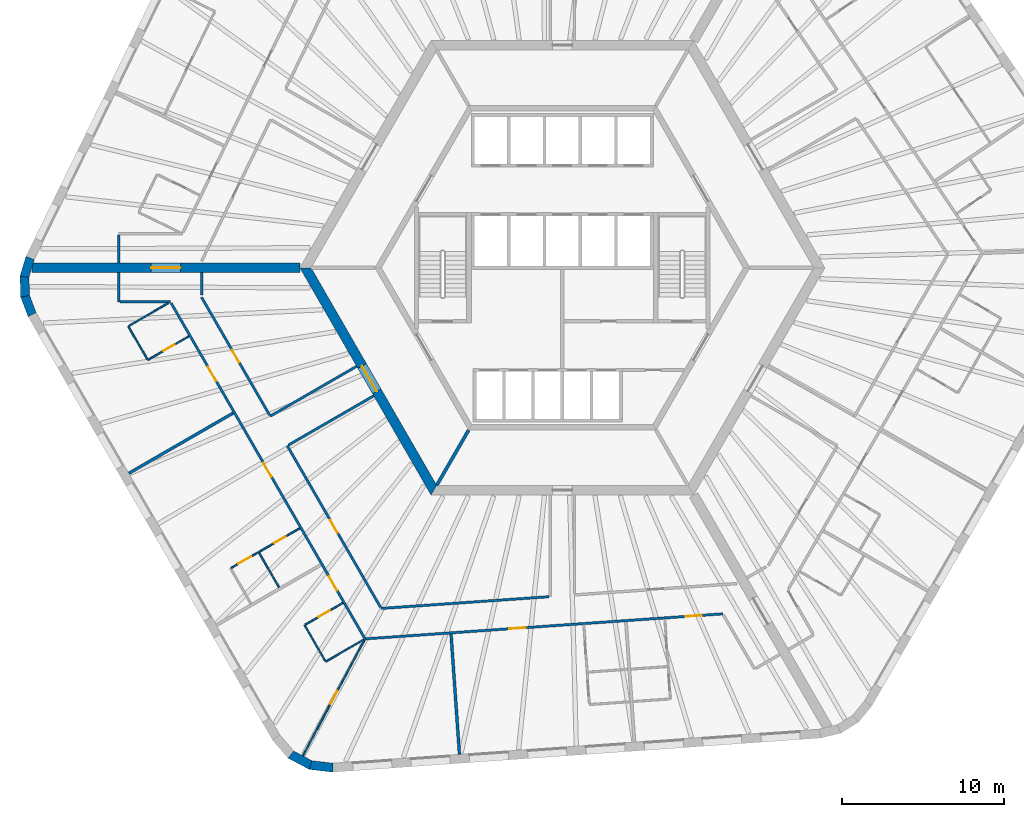
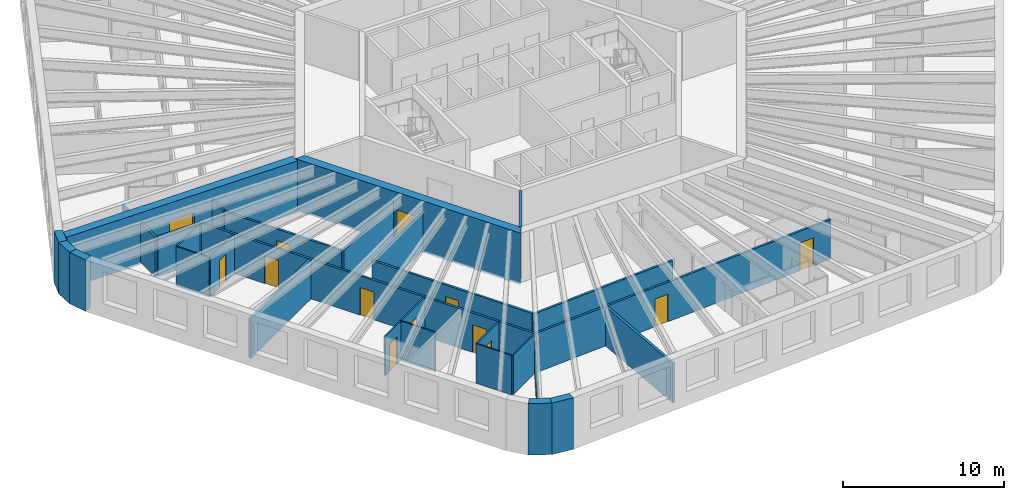
# One storey, part 3 of 11: 31 walls, 14 doors, 14 openings.
"""IFC4 building model written with IfcOpenShell, lengths in metres."""

from ifc_helpers import new_model, si_unit, direction, frame, frame_2d, origin, place, context, subcontext, project, spatial, polyline, rectangle, outline, extrude, material, layer, layer_set, type_object, element, fill, save


model = new_model("IFC4")

# Units and contexts
model_context = context("Model", 3, precision=1e-05, world=origin(), true_north=direction((0.0, 1.0)))
body_context = subcontext(model_context, "Body", "Model", "MODEL_VIEW")
ifc_project = project(units=[si_unit("LENGTHUNIT", "METRE"), si_unit("AREAUNIT", "SQUARE_METRE"), si_unit("VOLUMEUNIT", "CUBIC_METRE"), si_unit("PLANEANGLEUNIT", "RADIAN"), si_unit("MASSUNIT", "GRAM", prefix="KILO")], contexts=[model_context])

# Site, building, storey
site_placement = place(None, origin())
site = spatial("IfcSite", under=ifc_project, at=site_placement, CompositionType="ELEMENT")
building_placement = place(site_placement, origin())
building = spatial("IfcBuilding", under=site, at=building_placement, Name="Tarnside Tower", CompositionType="ELEMENT")
storey_placement = place(building_placement, frame((0.0, 0.0, 41.39990234375)))
storey = spatial("IfcBuildingStorey", under=building, at=storey_placement, Name="L07", CompositionType="ELEMENT", Elevation=41.39990234375)

# Wall, opening, door
ifc_material_1 = material(Name="Gypsum board partition on steel studs", Category="steel")
ifc_layer_1 = layer(ifc_material_1, 0.10009765625)
ifc_layer_set_1 = layer_set([ifc_layer_1], Name="Bathroom wall 100")
wall_type_1 = type_object("IfcWallType", Name="Bathroom wall 100", PredefinedType="PARTITIONING", material=ifc_layer_set_1)
wall_1_placement = place(storey_placement, frame((-22.998291015625, -4.216064453125, 0.0), z_axis=(0.0, 0.0, 1.0), x_axis=(-0.866025730634, -0.499999433879, 0.0)))
wall_1 = element("IfcWall", 1, at=wall_1_placement, inside=storey, type_object=wall_type_1, Name="Bathroom wall 01100", PredefinedType="PARTITIONING", context=body_context, shape_type="SweptSolid", body=[
    extrude(rectangle(XDim=2.9248046875, YDim=0.10009765625, at=frame_2d((1.46240234375, 0.0))), origin(), (0.0, 0.0, 1.0), 2.98779296875),
])
opening_1_placement = place(wall_1_placement, frame((1.02490234375, 0.0, 0.0)))
opening_1 = element("IfcOpeningElement", 2, at=opening_1_placement, cuts=wall_1, Name="Opening D-B1", PredefinedType="OPENING", context=body_context, shape_type="SweptSolid", body=[
    extrude(rectangle(XDim=0.800048828125, YDim=2.10009765625, at=frame_2d((0.39990234375, 1.050048828125))), frame((0.0, 0.06005859375, 0.0), z_axis=(0.0, -1.0, 0.0), x_axis=(1.0, 0.0, 0.0)), (0.0, 0.0, 1.0), 0.1201171875),
])
ifc_material_2 = material(Name="Timber door leaf", Category="wood")
door_type_1 = type_object("IfcDoorType", Name="Bathroom door 800", OperationType="NOTDEFINED", PredefinedType="DOOR", material=ifc_material_2)
door_1_placement = place(opening_1_placement, origin())
door_1 = element("IfcDoor", 3, at=door_1_placement, inside=storey, type_object=door_type_1, Name="Bathroom door 01014", OperationType="SINGLE_SWING_RIGHT", OverallHeight=2.10009765625, OverallWidth=0.800048828125, PredefinedType="DOOR", context=body_context, shape_type="SweptSolid", body=[
    extrude(rectangle(XDim=0.800048828125, YDim=2.10009765625, at=frame_2d((0.39990234375, 1.050048828125))), frame((0.0, 0.02490234375, 0.0), z_axis=(0.0, -1.0, 0.0), x_axis=(1.0, 0.0, 0.0)), (0.0, 0.0, 1.0), 0.050048828125),
])
fill(opening_1, door_1)

# Walls
wall_2_placement = place(storey_placement, frame((-25.556396484375, -5.63525390625, 0.0), z_axis=(0.0, 0.0, 1.0), x_axis=(-0.499938297808, 0.866061024631, 0.0)))
element("IfcWall", 4, at=wall_2_placement, inside=storey, type_object=wall_type_1, Name="Bathroom wall 01101", PredefinedType="PARTITIONING", context=body_context, shape_type="SweptSolid", body=[
    extrude(rectangle(XDim=2.349853515625, YDim=0.10009765625, at=frame_2d((1.1748046875, 0.0))), origin(), (0.0, 0.0, 1.0), 2.98779296875),
])
wall_3_placement = place(storey_placement, frame((-26.68798828125, -3.574951171875, 0.0), z_axis=(0.0, 0.0, 1.0), x_axis=(0.866034573852, 0.49998411664, 0.0)))
element("IfcWall", 5, at=wall_3_placement, inside=storey, type_object=wall_type_1, Name="Bathroom wall 01102", PredefinedType="PARTITIONING", context=body_context, shape_type="SweptSolid", body=[
    extrude(rectangle(XDim=2.7998046875, YDim=0.10009765625, at=frame_2d((1.39990234375, 0.0))), origin(), (0.0, 0.0, 1.0), 2.98779296875),
])

# Wall, opening, door
wall_4_placement = place(storey_placement, frame((-18.701904296875, -17.507568359375, 0.0), z_axis=(0.0, 0.0, 1.0), x_axis=(0.86601045545, 0.500025890382, 0.0)))
wall_4 = element("IfcWall", 6, at=wall_4_placement, inside=storey, type_object=wall_type_1, Name="Bathroom wall 01104", PredefinedType="PARTITIONING", context=body_context, shape_type="SweptSolid", body=[
    extrude(rectangle(XDim=2.925048828125, YDim=0.10009765625, at=frame_2d((1.46240234375, 0.0))), origin(), (0.0, 0.0, 1.0), 2.98779296875),
])
opening_2_placement = place(wall_4_placement, frame((1.10009765625, 0.0, 0.0)))
opening_2 = element("IfcOpeningElement", 7, at=opening_2_placement, cuts=wall_4, Name="Opening D-B1", PredefinedType="OPENING", context=body_context, shape_type="SweptSolid", body=[
    extrude(rectangle(XDim=0.800048828125, YDim=2.10009765625, at=frame_2d((0.39990234375, 1.050048828125))), frame((0.0, 0.06005859375, 0.0), z_axis=(0.0, -1.0, 0.0), x_axis=(1.0, 0.0, 0.0)), (0.0, 0.0, 1.0), 0.1201171875),
])
door_2_placement = place(opening_2_placement, origin())
door_2 = element("IfcDoor", 8, at=door_2_placement, inside=storey, type_object=door_type_1, Name="Bathroom door 01016", OperationType="SINGLE_SWING_LEFT", OverallHeight=2.10009765625, OverallWidth=0.800048828125, PredefinedType="DOOR", context=body_context, shape_type="SweptSolid", body=[
    extrude(rectangle(XDim=0.800048828125, YDim=2.10009765625, at=frame_2d((0.39990234375, 1.050048828125))), frame((0.0, 0.02490234375, 0.0), z_axis=(0.0, -1.0, 0.0), x_axis=(1.0, 0.0, 0.0)), (0.0, 0.0, 1.0), 0.050048828125),
])
fill(opening_2, door_2)

# Walls
wall_5_placement = place(storey_placement, frame((-18.6767578125, -17.55078125, 0.0), z_axis=(0.0, 0.0, 1.0), x_axis=(0.500003092839, -0.866023618125, 0.0)))
element("IfcWall", 9, at=wall_5_placement, inside=storey, type_object=wall_type_1, Name="Bathroom wall 01108", PredefinedType="PARTITIONING", context=body_context, shape_type="SweptSolid", body=[
    extrude(rectangle(XDim=2.4599609375, YDim=0.10009765625, at=frame_2d((1.22998046875, 0.0))), origin(), (0.0, 0.0, 1.0), 2.98779296875),
])
wall_6_placement = place(storey_placement, frame((-12.21630859375, -22.890869140625, 0.0), z_axis=(0.0, 0.0, 1.0), x_axis=(-0.866012511928, -0.500022328685, 0.0)))
element("IfcWall", 10, at=wall_6_placement, inside=storey, type_object=wall_type_1, Name="Bathroom wall 01111", PredefinedType="PARTITIONING", context=body_context, shape_type="SweptSolid", body=[
    extrude(rectangle(XDim=2.72509765625, YDim=0.10009765625, at=frame_2d((1.362548828125, 0.0))), origin(), (0.0, 0.0, 1.0), 2.98779296875),
])
wall_7_placement = place(storey_placement, frame((-14.60107421875, -24.2099609375, 0.0), z_axis=(0.0, 0.0, 1.0), x_axis=(-0.500062241894, 0.865989465428, 0.0)))
element("IfcWall", 11, at=wall_7_placement, inside=storey, type_object=wall_type_1, Name="Bathroom wall 01112", PredefinedType="PARTITIONING", context=body_context, shape_type="SweptSolid", body=[
    extrude(rectangle(XDim=2.550048828125, YDim=0.10009765625, at=frame_2d((1.27490234375, 0.0))), origin(), (0.0, 0.0, 1.0), 2.98779296875),
])

# Wall, opening, door
wall_8_placement = place(storey_placement, frame((-15.8330078125, -21.9765625, 0.0), z_axis=(0.0, 0.0, 1.0), x_axis=(0.86604424267, 0.499967368674, 0.0)))
wall_8 = element("IfcWall", 12, at=wall_8_placement, inside=storey, type_object=wall_type_1, Name="Bathroom wall 01113", PredefinedType="PARTITIONING", context=body_context, shape_type="SweptSolid", body=[
    extrude(rectangle(XDim=2.675048828125, YDim=0.10009765625, at=frame_2d((1.33740234375, 0.0))), origin(), (0.0, 0.0, 1.0), 2.98779296875),
])
opening_3_placement = place(wall_8_placement, frame((0.949951171875, 0.0, 0.0)))
opening_3 = element("IfcOpeningElement", 13, at=opening_3_placement, cuts=wall_8, Name="Opening D-B1", PredefinedType="OPENING", context=body_context, shape_type="SweptSolid", body=[
    extrude(rectangle(XDim=0.800048828125, YDim=2.10009765625, at=frame_2d((0.39990234375, 1.050048828125))), frame((0.0, 0.06005859375, 0.0), z_axis=(0.0, -1.0, 0.0), x_axis=(1.0, 0.0, 0.0)), (0.0, 0.0, 1.0), 0.1201171875),
])
door_3_placement = place(opening_3_placement, origin())
door_3 = element("IfcDoor", 14, at=door_3_placement, inside=storey, type_object=door_type_1, Name="Bathroom door 01019", OperationType="SINGLE_SWING_LEFT", OverallHeight=2.10009765625, OverallWidth=0.800048828125, PredefinedType="DOOR", context=body_context, shape_type="SweptSolid", body=[
    extrude(rectangle(XDim=0.800048828125, YDim=2.10009765625, at=frame_2d((0.39990234375, 1.050048828125))), frame((0.0, 0.02490234375, 0.0), z_axis=(0.0, -1.0, 0.0), x_axis=(1.0, 0.0, 0.0)), (0.0, 0.0, 1.0), 0.050048828125),
])
fill(opening_3, door_3)

ifc_material_3 = material(Name="Concrete C80/95", Category="concrete")
ifc_layer_2 = layer(ifc_material_3, 0.60009765625)
ifc_layer_set_2 = layer_set([ifc_layer_2], Name="Core wall Z1 600 C80/95")
wall_type_2 = type_object("IfcWallType", Name="Core wall Z1 600 C80/95", PredefinedType="SHEAR", material=ifc_layer_set_2)
wall_9_placement = place(storey_placement, frame((-15.8193359375, 0.0, -0.14990234375), z_axis=(0.0, 0.0, 1.0), x_axis=(0.499999880136, -0.866025472988, 0.0)))
wall_9 = element("IfcWall", 15, at=wall_9_placement, inside=storey, type_object=wall_type_2, Name="L07 core wall face 3", PredefinedType="SHEAR", context=body_context, shape_type="SweptSolid", body=[
    extrude(outline(polyline([(-0.17333984375, -0.300048828125), (15.99267578125, -0.300048828125), (15.64599609375, 0.300048828125), (0.17333984375, 0.300048828125), (-0.17333984375, -0.300048828125)])), origin(), (0.0, 0.0, 1.0), 3.89990234375),
])
opening_4_placement = place(wall_9_placement, frame((6.980712890625, 0.0, 0.14990234375)))
opening_4 = element("IfcOpeningElement", 16, at=opening_4_placement, cuts=wall_9, Name="Opening CD-FFL", PredefinedType="OPENING", context=body_context, shape_type="SweptSolid", body=[
    extrude(rectangle(XDim=1.800048828125, YDim=2.39990234375, at=frame_2d((0.89990234375, 1.199951171875))), frame((0.0, 0.31005859375, 0.0), z_axis=(0.0, -1.0, 0.0), x_axis=(1.0, 0.0, 0.0)), (0.0, 0.0, 1.0), 0.6201171875),
])
ifc_material_4 = material(Name="Steel fire door", Category="steel")
door_type_2 = type_object("IfcDoorType", Name="Firefighting lobby double door FD60S 1800x2400", OperationType="NOTDEFINED", PredefinedType="DOOR", material=ifc_material_4)
door_4_placement = place(opening_4_placement, origin())
door_4 = element("IfcDoor", 17, at=door_4_placement, inside=storey, type_object=door_type_2, Name="L07 core door P3", OperationType="DOUBLE_DOOR_SINGLE_SWING", OverallHeight=2.39990234375, OverallWidth=1.800048828125, PredefinedType="DOOR", context=body_context, shape_type="SweptSolid", body=[
    extrude(rectangle(XDim=1.800048828125, YDim=2.39990234375, at=frame_2d((0.89990234375, 1.199951171875))), frame((0.0, 0.02490234375, 0.0), z_axis=(0.0, -1.0, 0.0), x_axis=(1.0, 0.0, 0.0)), (0.0, 0.0, 1.0), 0.050048828125),
])
fill(opening_4, door_4)

wall_10_placement = place(storey_placement, frame((-16.165771484375, 0.0, -0.14990234375), z_axis=(0.0, 0.0, 1.0), x_axis=(-1.0, 0.0, 0.0)))
wall_10 = element("IfcWall", 18, at=wall_10_placement, inside=storey, type_object=wall_type_2, Name="L07 spine wall 2", PredefinedType="SHEAR", context=body_context, shape_type="SweptSolid", body=[
    extrude(rectangle(XDim=16.509033203125, YDim=0.60009765625, at=frame_2d((8.25439453125, 0.0))), origin(), (0.0, 0.0, 1.0), 3.89990234375),
])
opening_5_placement = place(wall_10_placement, frame((7.3544921875, 0.0, 0.14990234375)))
opening_5 = element("IfcOpeningElement", 19, at=opening_5_placement, cuts=wall_10, Name="Opening CD-SPN", PredefinedType="OPENING", context=body_context, shape_type="SweptSolid", body=[
    extrude(rectangle(XDim=1.800048828125, YDim=2.39990234375, at=frame_2d((0.89990234375, 1.199951171875))), frame((0.0, 0.31005859375, 0.0), z_axis=(0.0, -1.0, 0.0), x_axis=(1.0, 0.0, 0.0)), (0.0, 0.0, 1.0), 0.6201171875),
])
door_type_3 = type_object("IfcDoorType", Name="Spine passage double door FD60 1800x2400", OperationType="NOTDEFINED", PredefinedType="DOOR", material=ifc_material_4)
door_5_placement = place(opening_5_placement, origin())
door_5 = element("IfcDoor", 20, at=door_5_placement, inside=storey, type_object=door_type_3, Name="L07 spine passage door 2", OperationType="DOUBLE_DOOR_SINGLE_SWING", OverallHeight=2.39990234375, OverallWidth=1.800048828125, PredefinedType="DOOR", context=body_context, shape_type="SweptSolid", body=[
    extrude(rectangle(XDim=1.800048828125, YDim=2.39990234375, at=frame_2d((0.89990234375, 1.199951171875))), frame((0.0, 0.02490234375, 0.0), z_axis=(0.0, -1.0, 0.0), x_axis=(1.0, 0.0, 0.0)), (0.0, 0.0, 1.0), 0.050048828125),
])
fill(opening_5, door_5)

# Walls
ifc_layer_3 = layer(ifc_material_1, 0.14990234375)
ifc_layer_set_3 = layer_set([ifc_layer_3], Name="Corridor wall 150 EI 60")
wall_type_3 = type_object("IfcWallType", Name="Corridor wall 150 EI 60", PredefinedType="PARTITIONING", material=ifc_layer_set_3)
wall_11_placement = place(storey_placement, frame((-27.3203125, 2.02490234375, 0.0), z_axis=(0.0, 0.0, 1.0), x_axis=(0.0, -1.0, 0.0)))
element("IfcWall", 21, at=wall_11_placement, inside=storey, type_object=wall_type_3, Name="Corridor wall 01013", PredefinedType="PARTITIONING", context=body_context, shape_type="SweptSolid", body=[
    extrude(rectangle(XDim=1.724853515625, YDim=0.14990234375, at=frame_2d((0.8623046875, 0.0))), origin(), (0.0, 0.0, 1.0), 2.98779296875),
])
wall_12_placement = place(storey_placement, frame((-27.3203125, -0.300048828125, 0.0), z_axis=(0.0, 0.0, 1.0), x_axis=(0.0, -1.0, 0.0)))
element("IfcWall", 22, at=wall_12_placement, inside=storey, type_object=wall_type_3, Name="Corridor wall 01025", PredefinedType="PARTITIONING", context=body_context, shape_type="SweptSolid", body=[
    extrude(rectangle(XDim=1.800048828125, YDim=0.14990234375, at=frame_2d((0.89990234375, 0.0))), origin(), (0.0, 0.0, 1.0), 2.98779296875),
])
wall_13_placement = place(storey_placement, frame((-27.245361328125, -2.10009765625, 0.0), z_axis=(0.0, 0.0, 1.0), x_axis=(1.0, 0.0, 0.0)))
element("IfcWall", 23, at=wall_13_placement, inside=storey, type_object=wall_type_3, Name="Corridor wall 01026", PredefinedType="PARTITIONING", context=body_context, shape_type="SweptSolid", body=[
    extrude(rectangle(XDim=3.112060546875, YDim=0.14990234375, at=frame_2d((1.55615234375, 0.0))), origin(), (0.0, 0.0, 1.0), 2.98779296875),
])

# Wall, openings, doors
wall_14_placement = place(storey_placement, frame((-24.08984375, -2.175048828125, 0.0), z_axis=(0.0, 0.0, 1.0), x_axis=(0.499996832073, -0.86602723278, 0.0)))
wall_14 = element("IfcWall", 24, at=wall_14_placement, inside=storey, type_object=wall_type_3, Name="Corridor wall 01027", PredefinedType="PARTITIONING", context=body_context, shape_type="SweptSolid", body=[
    extrude(rectangle(XDim=23.877197265625, YDim=0.14990234375, at=frame_2d((11.9384765625, 0.0))), origin(), (0.0, 0.0, 1.0), 2.98779296875),
])
opening_6_placement = place(wall_14_placement, frame((4.54296875, 0.0, 0.0)))
opening_6 = element("IfcOpeningElement", 25, at=opening_6_placement, cuts=wall_14, Name="Opening D-E1", PredefinedType="OPENING", context=body_context, shape_type="SweptSolid", body=[
    extrude(rectangle(XDim=1.0, YDim=2.10009765625, at=frame_2d((0.5, 1.050048828125))), frame((0.0, 0.0849609375, 0.0), z_axis=(0.0, -1.0, 0.0), x_axis=(1.0, 0.0, 0.0)), (0.0, 0.0, 1.0), 0.169921875),
])
opening_7_placement = place(wall_14_placement, frame((11.372314453125, 0.0, 0.0)))
opening_7 = element("IfcOpeningElement", 26, at=opening_7_placement, cuts=wall_14, Name="Opening D-E1", PredefinedType="OPENING", context=body_context, shape_type="SweptSolid", body=[
    extrude(rectangle(XDim=1.0, YDim=2.10009765625, at=frame_2d((0.5, 1.050048828125))), frame((0.0, 0.0849609375, 0.0), z_axis=(0.0, -1.0, 0.0), x_axis=(1.0, 0.0, 0.0)), (0.0, 0.0, 1.0), 0.169921875),
])
opening_8_placement = place(wall_14_placement, frame((19.4248046875, 0.0, 0.0)))
opening_8 = element("IfcOpeningElement", 27, at=opening_8_placement, cuts=wall_14, Name="Opening D-E1", PredefinedType="OPENING", context=body_context, shape_type="SweptSolid", body=[
    extrude(rectangle(XDim=1.0, YDim=2.10009765625, at=frame_2d((0.5, 1.050048828125))), frame((0.0, 0.0849609375, 0.0), z_axis=(0.0, -1.0, 0.0), x_axis=(1.0, 0.0, 0.0)), (0.0, 0.0, 1.0), 0.169921875),
])
door_type_4 = type_object("IfcDoorType", Name="Unit entrance door 1000 FD30S", OperationType="NOTDEFINED", PredefinedType="DOOR", material=ifc_material_2)
door_6_placement = place(opening_6_placement, origin())
door_6 = element("IfcDoor", 28, at=door_6_placement, inside=storey, type_object=door_type_4, Name="Unit door 01013", OperationType="SINGLE_SWING_RIGHT", OverallHeight=2.10009765625, OverallWidth=1.0, PredefinedType="DOOR", context=body_context, shape_type="SweptSolid", body=[
    extrude(rectangle(XDim=1.0, YDim=2.10009765625, at=frame_2d((0.5, 1.050048828125))), frame((0.0, 0.02490234375, 0.0), z_axis=(0.0, -1.0, 0.0), x_axis=(1.0, 0.0, 0.0)), (0.0, 0.0, 1.0), 0.050048828125),
])
fill(opening_6, door_6)
door_7_placement = place(opening_7_placement, origin())
door_7 = element("IfcDoor", 29, at=door_7_placement, inside=storey, type_object=door_type_4, Name="Unit door 01015", OperationType="SINGLE_SWING_RIGHT", OverallHeight=2.10009765625, OverallWidth=1.0, PredefinedType="DOOR", context=body_context, shape_type="SweptSolid", body=[
    extrude(rectangle(XDim=1.0, YDim=2.10009765625, at=frame_2d((0.5, 1.050048828125))), frame((0.0, 0.02490234375, 0.0), z_axis=(0.0, -1.0, 0.0), x_axis=(1.0, 0.0, 0.0)), (0.0, 0.0, 1.0), 0.050048828125),
])
fill(opening_7, door_7)
door_8_placement = place(opening_8_placement, origin())
door_8 = element("IfcDoor", 30, at=door_8_placement, inside=storey, type_object=door_type_4, Name="Unit door 01018", OperationType="SINGLE_SWING_RIGHT", OverallHeight=2.10009765625, OverallWidth=1.0, PredefinedType="DOOR", context=body_context, shape_type="SweptSolid", body=[
    extrude(rectangle(XDim=1.0, YDim=2.10009765625, at=frame_2d((0.5, 1.050048828125))), frame((0.0, 0.02490234375, 0.0), z_axis=(0.0, -1.0, 0.0), x_axis=(1.0, 0.0, 0.0)), (0.0, 0.0, 1.0), 0.050048828125),
])
fill(opening_8, door_8)

wall_15_placement = place(storey_placement, frame((-12.1513671875, -22.853271484375, 0.0), z_axis=(0.0, 0.0, 1.0), x_axis=(0.99756425444, 0.069753553767, 0.0)))
wall_15 = element("IfcWall", 31, at=wall_15_placement, inside=storey, type_object=wall_type_3, Name="Corridor wall 01033", PredefinedType="PARTITIONING", context=body_context, shape_type="SweptSolid", body=[
    extrude(rectangle(XDim=22.085205078125, YDim=0.14990234375, at=frame_2d((11.04248046875, 0.0))), origin(), (0.0, 0.0, 1.0), 2.98779296875),
])
opening_9_placement = place(wall_15_placement, frame((8.90478515625, 0.0, 0.0)))
opening_9 = element("IfcOpeningElement", 32, at=opening_9_placement, cuts=wall_15, Name="Opening D-E1", PredefinedType="OPENING", context=body_context, shape_type="SweptSolid", body=[
    extrude(rectangle(XDim=1.0, YDim=2.10009765625, at=frame_2d((0.5, 1.050048828125))), frame((0.0, 0.0849609375, 0.0), z_axis=(0.0, -1.0, 0.0), x_axis=(1.0, 0.0, 0.0)), (0.0, 0.0, 1.0), 0.169921875),
])
opening_10_placement = place(wall_15_placement, frame((19.794921875, 0.0, 0.0)))
opening_10 = element("IfcOpeningElement", 33, at=opening_10_placement, cuts=wall_15, Name="Opening D-E1", PredefinedType="OPENING", context=body_context, shape_type="SweptSolid", body=[
    extrude(rectangle(XDim=1.0, YDim=2.10009765625, at=frame_2d((0.5, 1.050048828125))), frame((0.0, 0.0849609375, 0.0), z_axis=(0.0, -1.0, 0.0), x_axis=(1.0, 0.0, 0.0)), (0.0, 0.0, 1.0), 0.169921875),
])
door_9_placement = place(opening_9_placement, origin())
door_9 = element("IfcDoor", 34, at=door_9_placement, inside=storey, type_object=door_type_4, Name="Unit door 01021", OperationType="SINGLE_SWING_RIGHT", OverallHeight=2.10009765625, OverallWidth=1.0, PredefinedType="DOOR", context=body_context, shape_type="SweptSolid", body=[
    extrude(rectangle(XDim=1.0, YDim=2.10009765625, at=frame_2d((0.5, 1.050048828125))), frame((0.0, 0.02490234375, 0.0), z_axis=(0.0, -1.0, 0.0), x_axis=(1.0, 0.0, 0.0)), (0.0, 0.0, 1.0), 0.050048828125),
])
fill(opening_9, door_9)
door_10_placement = place(opening_10_placement, origin())
door_10 = element("IfcDoor", 35, at=door_10_placement, inside=storey, type_object=door_type_4, Name="Unit door 01024", OperationType="SINGLE_SWING_LEFT", OverallHeight=2.10009765625, OverallWidth=1.0, PredefinedType="DOOR", context=body_context, shape_type="SweptSolid", body=[
    extrude(rectangle(XDim=1.0, YDim=2.10009765625, at=frame_2d((0.5, 1.050048828125))), frame((0.0, 0.02490234375, 0.0), z_axis=(0.0, -1.0, 0.0), x_axis=(1.0, 0.0, 0.0)), (0.0, 0.0, 1.0), 0.050048828125),
])
fill(opening_10, door_10)

# Wall
wall_16_placement = place(storey_placement, frame((-12.663818359375, -6.065673828125, 0.0), z_axis=(0.0, 0.0, 1.0), x_axis=(-0.866023618125, -0.500003092839, 0.0)))
element("IfcWall", 36, at=wall_16_placement, inside=storey, type_object=wall_type_3, Name="Corridor wall 01040", PredefinedType="PARTITIONING", context=body_context, shape_type="SweptSolid", body=[
    extrude(rectangle(XDim=6.14990234375, YDim=0.14990234375, at=frame_2d((3.074951171875, 0.0))), origin(), (0.0, 0.0, 1.0), 2.98779296875),
])

# Wall, opening, door
wall_17_placement = place(storey_placement, frame((-18.02734375, -9.07568359375, 0.0), z_axis=(0.0, 0.0, 1.0), x_axis=(-0.500007318041, 0.86602117867, 0.0)))
wall_17 = element("IfcWall", 37, at=wall_17_placement, inside=storey, type_object=wall_type_3, Name="Corridor wall 01041", PredefinedType="PARTITIONING", context=body_context, shape_type="SweptSolid", body=[
    extrude(rectangle(XDim=8.383056640625, YDim=0.14990234375, at=frame_2d((4.19140625, 0.0))), origin(), (0.0, 0.0, 1.0), 2.98779296875),
])
opening_11_placement = place(wall_17_placement, frame((3.74169921875, 0.0, 0.0)))
opening_11 = element("IfcOpeningElement", 38, at=opening_11_placement, cuts=wall_17, Name="Opening D-S1", PredefinedType="OPENING", context=body_context, shape_type="SweptSolid", body=[
    extrude(rectangle(XDim=0.89990234375, YDim=2.10009765625, at=frame_2d((0.449951171875, 1.050048828125))), frame((0.0, 0.0849609375, 0.0), z_axis=(0.0, -1.0, 0.0), x_axis=(1.0, 0.0, 0.0)), (0.0, 0.0, 1.0), 0.169921875),
])
door_type_5 = type_object("IfcDoorType", Name="Service room door 900 FD30S", OperationType="NOTDEFINED", PredefinedType="DOOR", material=ifc_material_2)
door_11_placement = place(opening_11_placement, origin())
door_11 = element("IfcDoor", 39, at=door_11_placement, inside=storey, type_object=door_type_5, Name="Service door 01045", OperationType="SINGLE_SWING_RIGHT", OverallHeight=2.10009765625, OverallWidth=0.89990234375, PredefinedType="DOOR", context=body_context, shape_type="SweptSolid", body=[
    extrude(rectangle(XDim=0.89990234375, YDim=2.10009765625, at=frame_2d((0.449951171875, 1.050048828125))), frame((0.0, 0.02490234375, 0.0), z_axis=(0.0, -1.0, 0.0), x_axis=(1.0, 0.0, 0.0)), (0.0, 0.0, 1.0), 0.050048828125),
])
fill(opening_11, door_11)

# Walls
wall_18_placement = place(storey_placement, frame((-22.218994140625, -1.665771484375, 0.0), z_axis=(0.0, 0.0, 1.0), x_axis=(0.0, 1.0, 0.0)))
element("IfcWall", 40, at=wall_18_placement, inside=storey, type_object=wall_type_3, Name="Corridor wall 01042", PredefinedType="PARTITIONING", context=body_context, shape_type="SweptSolid", body=[
    extrude(rectangle(XDim=1.36572265625, YDim=0.14990234375, at=frame_2d((0.682861328125, 0.0))), origin(), (0.0, 0.0, 1.0), 2.98779296875),
])
wall_19_placement = place(storey_placement, frame((-0.824951171875, -20.2568359375, 0.0), z_axis=(0.0, 0.0, 1.0), x_axis=(-0.9975635143, -0.069764137903, 0.0)))
element("IfcWall", 41, at=wall_19_placement, inside=storey, type_object=wall_type_3, Name="Corridor wall 01044", PredefinedType="PARTITIONING", context=body_context, shape_type="SweptSolid", body=[
    extrude(rectangle(XDim=10.35498046875, YDim=0.14990234375, at=frame_2d((5.177490234375, 0.0))), origin(), (0.0, 0.0, 1.0), 2.98779296875),
])

# Wall, opening, door
wall_20_placement = place(storey_placement, frame((-11.196533203125, -20.906982421875, 0.0), z_axis=(0.0, 0.0, 1.0), x_axis=(-0.500004557924, 0.86602277225, 0.0)))
wall_20 = element("IfcWall", 42, at=wall_20_placement, inside=storey, type_object=wall_type_3, Name="Corridor wall 01045", PredefinedType="PARTITIONING", context=body_context, shape_type="SweptSolid", body=[
    extrude(rectangle(XDim=11.48681640625, YDim=0.14990234375, at=frame_2d((5.743408203125, 0.0))), origin(), (0.0, 0.0, 1.0), 2.98779296875),
])
opening_12_placement = place(wall_20_placement, frame((5.293212890625, 0.0, 0.0)))
opening_12 = element("IfcOpeningElement", 43, at=opening_12_placement, cuts=wall_20, Name="Opening D-S1", PredefinedType="OPENING", context=body_context, shape_type="SweptSolid", body=[
    extrude(rectangle(XDim=0.89990234375, YDim=2.10009765625, at=frame_2d((0.449951171875, 1.050048828125))), frame((0.0, 0.0849609375, 0.0), z_axis=(0.0, -1.0, 0.0), x_axis=(1.0, 0.0, 0.0)), (0.0, 0.0, 1.0), 0.169921875),
])
door_12_placement = place(opening_12_placement, origin())
door_12 = element("IfcDoor", 44, at=door_12_placement, inside=storey, type_object=door_type_5, Name="Service door 01046", OperationType="SINGLE_SWING_RIGHT", OverallHeight=2.10009765625, OverallWidth=0.89990234375, PredefinedType="DOOR", context=body_context, shape_type="SweptSolid", body=[
    extrude(rectangle(XDim=0.89990234375, YDim=2.10009765625, at=frame_2d((0.449951171875, 1.050048828125))), frame((0.0, 0.02490234375, 0.0), z_axis=(0.0, -1.0, 0.0), x_axis=(1.0, 0.0, 0.0)), (0.0, 0.0, 1.0), 0.050048828125),
])
fill(opening_12, door_12)

# Walls
wall_21_placement = place(storey_placement, frame((-16.875, -10.921875, 0.0), z_axis=(0.0, 0.0, 1.0), x_axis=(0.866023634079, 0.500003065207, 0.0)))
element("IfcWall", 45, at=wall_21_placement, inside=storey, type_object=wall_type_3, Name="Corridor wall 01046", PredefinedType="PARTITIONING", context=body_context, shape_type="SweptSolid", body=[
    extrude(rectangle(XDim=6.0751953125, YDim=0.14990234375, at=frame_2d((3.03759765625, 0.0))), origin(), (0.0, 0.0, 1.0), 2.98779296875),
])
ifc_layer_4 = layer(ifc_material_1, 0.179931640625)
ifc_layer_set_4 = layer_set([ifc_layer_4], Name="Demising wall 180 EI 60")
wall_type_4 = type_object("IfcWallType", Name="Demising wall 180 EI 60", PredefinedType="PARTITIONING", material=ifc_layer_set_4)
wall_22_placement = place(storey_placement, frame((-26.698974609375, -12.656005859375, 0.0), z_axis=(0.0, 0.0, 1.0), x_axis=(0.866028983062, 0.499993800457, 0.0)))
element("IfcWall", 46, at=wall_22_placement, inside=storey, type_object=wall_type_4, Name="Demising wall 01103", PredefinedType="PARTITIONING", context=body_context, shape_type="SweptSolid", body=[
    extrude(rectangle(XDim=7.4248046875, YDim=0.179931640625, at=frame_2d((3.71240234375, 0.0))), origin(), (0.0, 0.0, 1.0), 2.98779296875),
])
wall_23_placement = place(storey_placement, frame((-6.336181640625, -29.965087890625, 0.0), z_axis=(0.0, 0.0, 1.0), x_axis=(-0.06977252161, 0.997562927954, 0.0)))
element("IfcWall", 47, at=wall_23_placement, inside=storey, type_object=wall_type_4, Name="Demising wall 01115", PredefinedType="PARTITIONING", context=body_context, shape_type="SweptSolid", body=[
    extrude(rectangle(XDim=7.425048828125, YDim=0.179931640625, at=frame_2d((3.71240234375, 0.0))), origin(), (0.0, 0.0, 1.0), 2.98779296875),
])
ifc_material_5 = material(Name="Concrete C40/50", Category="concrete")
ifc_layer_5 = layer(ifc_material_5, 0.199951171875)
ifc_layer_set_5 = layer_set([ifc_layer_5], Name="Lift shaft wall 200 C40/50")
wall_type_5 = type_object("IfcWallType", Name="Lift shaft wall 200 C40/50", PredefinedType="SHEAR", material=ifc_layer_set_5)
wall_24_placement = place(storey_placement, frame((-5.7734375, -10.0, -0.14990234375), z_axis=(0.0, 0.0, 1.0), x_axis=(-0.500038251005, -0.86600331843, 0.0)))
element("IfcWall", 48, at=wall_24_placement, inside=storey, type_object=wall_type_5, Name="L07 core partition AR240", PredefinedType="SHEAR", context=body_context, shape_type="SweptSolid", body=[
    extrude(rectangle(XDim=3.926025390625, YDim=0.199951171875, at=frame_2d((1.962890625, 0.0))), origin(), (0.0, 0.0, 1.0), 3.89990234375),
])

# Wall, opening, door
ifc_layer_6 = layer(ifc_material_1, 0.10009765625)
ifc_layer_set_6 = layer_set([ifc_layer_6], Name="Partition 100")
wall_type_6 = type_object("IfcWallType", Name="Partition 100", PredefinedType="PARTITIONING", material=ifc_layer_set_6)
wall_25_placement = place(storey_placement, frame((-20.390625, -18.482421875, 0.0), z_axis=(0.0, 0.0, 1.0), x_axis=(0.866044365799, 0.499967155389, 0.0)))
wall_25 = element("IfcWall", 49, at=wall_25_placement, inside=storey, type_object=wall_type_6, Name="Partition wall 01106", PredefinedType="PARTITIONING", context=body_context, shape_type="SweptSolid", body=[
    extrude(rectangle(XDim=1.900146484375, YDim=0.10009765625, at=frame_2d((0.9501953125, 0.0))), origin(), (0.0, 0.0, 1.0), 2.98779296875),
])
opening_13_placement = place(wall_25_placement, frame((0.5, 0.0, 0.0)))
opening_13 = element("IfcOpeningElement", 50, at=opening_13_placement, cuts=wall_25, Name="Opening D-I1", PredefinedType="OPENING", context=body_context, shape_type="SweptSolid", body=[
    extrude(rectangle(XDim=0.89990234375, YDim=2.10009765625, at=frame_2d((0.449951171875, 1.050048828125))), frame((0.0, 0.06005859375, 0.0), z_axis=(0.0, -1.0, 0.0), x_axis=(1.0, 0.0, 0.0)), (0.0, 0.0, 1.0), 0.1201171875),
])
door_type_6 = type_object("IfcDoorType", Name="Internal door 900", OperationType="NOTDEFINED", PredefinedType="DOOR", material=ifc_material_2)
door_13_placement = place(opening_13_placement, origin())
door_13 = element("IfcDoor", 51, at=door_13_placement, inside=storey, type_object=door_type_6, Name="Internal door 01017", OperationType="SINGLE_SWING_RIGHT", OverallHeight=2.10009765625, OverallWidth=0.89990234375, PredefinedType="DOOR", context=body_context, shape_type="SweptSolid", body=[
    extrude(rectangle(XDim=0.89990234375, YDim=2.10009765625, at=frame_2d((0.449951171875, 1.050048828125))), frame((0.0, 0.02490234375, 0.0), z_axis=(0.0, -1.0, 0.0), x_axis=(1.0, 0.0, 0.0)), (0.0, 0.0, 1.0), 0.050048828125),
])
fill(opening_13, door_13)

wall_26_placement = place(storey_placement, frame((-15.98291015625, -30.059326171875, 0.0), z_axis=(0.0, 0.0, 1.0), x_axis=(0.469476547643, 0.882944942346, 0.0)))
wall_26 = element("IfcWall", 52, at=wall_26_placement, inside=storey, type_object=wall_type_6, Name="Partition wall 01114", PredefinedType="PARTITIONING", context=body_context, shape_type="SweptSolid", body=[
    extrude(rectangle(XDim=8.072998046875, YDim=0.10009765625, at=frame_2d((4.03662109375, 0.0))), origin(), (0.0, 0.0, 1.0), 2.98779296875),
])
opening_14_placement = place(wall_26_placement, frame((3.630615234375, 0.0, 0.0)))
opening_14 = element("IfcOpeningElement", 53, at=opening_14_placement, cuts=wall_26, Name="Opening D-I1", PredefinedType="OPENING", context=body_context, shape_type="SweptSolid", body=[
    extrude(rectangle(XDim=0.89990234375, YDim=2.10009765625, at=frame_2d((0.449951171875, 1.050048828125))), frame((0.0, 0.06005859375, 0.0), z_axis=(0.0, -1.0, 0.0), x_axis=(1.0, 0.0, 0.0)), (0.0, 0.0, 1.0), 0.1201171875),
])
door_14_placement = place(opening_14_placement, origin())
door_14 = element("IfcDoor", 54, at=door_14_placement, inside=storey, type_object=door_type_6, Name="Internal door 01020", OperationType="SINGLE_SWING_LEFT", OverallHeight=2.10009765625, OverallWidth=0.89990234375, PredefinedType="DOOR", context=body_context, shape_type="SweptSolid", body=[
    extrude(rectangle(XDim=0.89990234375, YDim=2.10009765625, at=frame_2d((0.449951171875, 1.050048828125))), frame((0.0, 0.02490234375, 0.0), z_axis=(0.0, -1.0, 0.0), x_axis=(1.0, 0.0, 0.0)), (0.0, 0.0, 1.0), 0.050048828125),
])
fill(opening_14, door_14)

# Walls
ifc_material_6 = material(Name="Facing brick", Category="masonry")
ifc_layer_7 = layer(ifc_material_6, 0.10205078125)
ifc_material_7 = material(Name="Concrete C60/75 precast", Category="concrete")
ifc_layer_8 = layer(ifc_material_7, 0.347900390625)
ifc_material_8 = material(Name="Mineral wool insulation")
ifc_layer_9 = layer(ifc_material_8, 0.10009765625)
ifc_layer_set_7 = layer_set([ifc_layer_7, ifc_layer_8, ifc_layer_9], Name="Tube wall 550 brick faced")
wall_type_7 = type_object("IfcWallType", Name="Tube wall 550 brick faced", PredefinedType="SOLIDWALL", material=ifc_layer_set_7)
wall_27_placement = place(storey_placement, frame((-32.77685546875, 0.605224609375, -0.14990234375), z_axis=(0.0, 0.0, 1.0), x_axis=(-0.286921497463, -0.957954098219, 0.0)))
element("IfcWall", 55, at=wall_27_placement, inside=storey, type_object=wall_type_7, Name="Tube wall L07 F2 chord 05", PredefinedType="SOLIDWALL", context=body_context, shape_type="SweptSolid", body=[
    extrude(outline(polyline([(-0.0224609375, -0.27490234375), (1.25341796875, -0.27490234375), (1.1630859375, 0.27490234375), (0.0224609375, 0.27490234375), (-0.0224609375, -0.27490234375)])), origin(), (0.0, 0.0, 1.0), 3.89990234375),
])
wall_28_placement = place(storey_placement, frame((-33.12353515625, -0.55224609375, -0.14990234375), z_axis=(0.0, 0.0, 1.0), x_axis=(0.03495638276, -0.999388838893, 0.0)))
element("IfcWall", 56, at=wall_28_placement, inside=storey, type_object=wall_type_7, Name="Tube wall L07 F2 chord 06", PredefinedType="SOLIDWALL", context=body_context, shape_type="SweptSolid", body=[
    extrude(outline(polyline([(-0.045166015625, -0.27490234375), (1.25341796875, -0.27490234375), (1.1630859375, 0.27490234375), (0.045166015625, 0.27490234375), (-0.045166015625, -0.27490234375)])), origin(), (0.0, 0.0, 1.0), 3.89990234375),
])
wall_29_placement = place(storey_placement, frame((-33.081298828125, -1.759765625, -0.14990234375), z_axis=(0.0, 0.0, 1.0), x_axis=(0.353027214741, -0.935613053378, 0.0)))
element("IfcWall", 57, at=wall_29_placement, inside=storey, type_object=wall_type_7, Name="Tube wall L07 F2 chord 07", PredefinedType="SOLIDWALL", context=body_context, shape_type="SweptSolid", body=[
    extrude(outline(polyline([(-0.045166015625, -0.27490234375), (1.230712890625, -0.27490234375), (1.185791015625, 0.27490234375), (0.045166015625, 0.27490234375), (-0.045166015625, -0.27490234375)])), origin(), (0.0, 0.0, 1.0), 3.89990234375),
])
wall_30_placement = place(storey_placement, frame((-16.720703125, -29.978515625, -0.14990234375), z_axis=(0.0, 0.0, 1.0), x_axis=(0.882994189209, -0.469383917304, 0.0)))
element("IfcWall", 58, at=wall_30_placement, inside=storey, type_object=wall_type_7, Name="Tube wall L07 F3 chord 10", PredefinedType="SOLIDWALL", context=body_context, shape_type="SweptSolid", body=[
    extrude(outline(polyline([(-0.0517578125, -0.27490234375), (1.4306640625, -0.27490234375), (1.3271484375, 0.27490234375), (0.0517578125, 0.27490234375), (-0.0517578125, -0.27490234375)])), origin(), (0.0, 0.0, 1.0), 3.89990234375),
])
wall_31_placement = place(storey_placement, frame((-15.503173828125, -30.625732421875, -0.14990234375), z_axis=(0.0, 0.0, 1.0), x_axis=(0.993232537394, -0.11614269956, 0.0)))
element("IfcWall", 59, at=wall_31_placement, inside=storey, type_object=wall_type_7, Name="Tube wall L07 F3 chord 11", PredefinedType="SOLIDWALL", context=body_context, shape_type="SweptSolid", body=[
    extrude(outline(polyline([(-0.0517578125, -0.27490234375), (1.404541015625, -0.27490234375), (1.353271484375, 0.27490234375), (0.0517578125, 0.27490234375), (-0.0517578125, -0.27490234375)])), origin(), (0.0, 0.0, 1.0), 3.89990234375),
])

save(model, "model.ifc")
